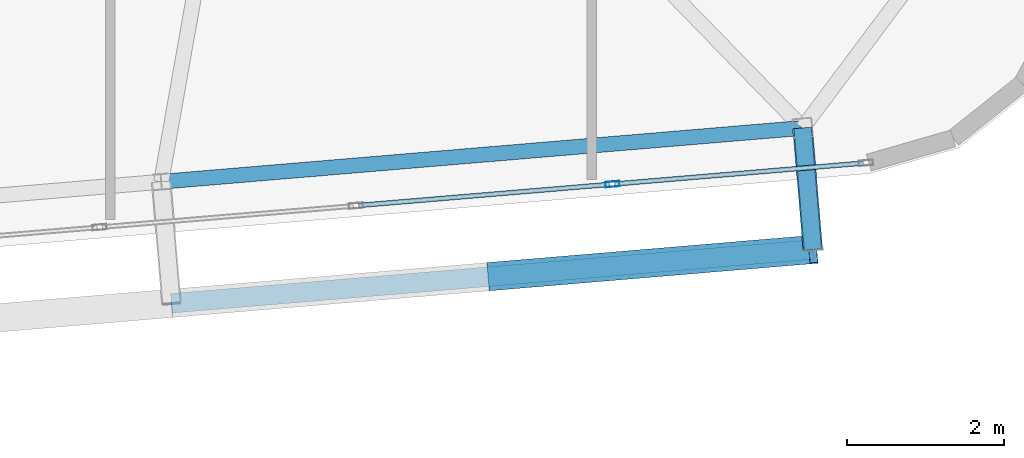
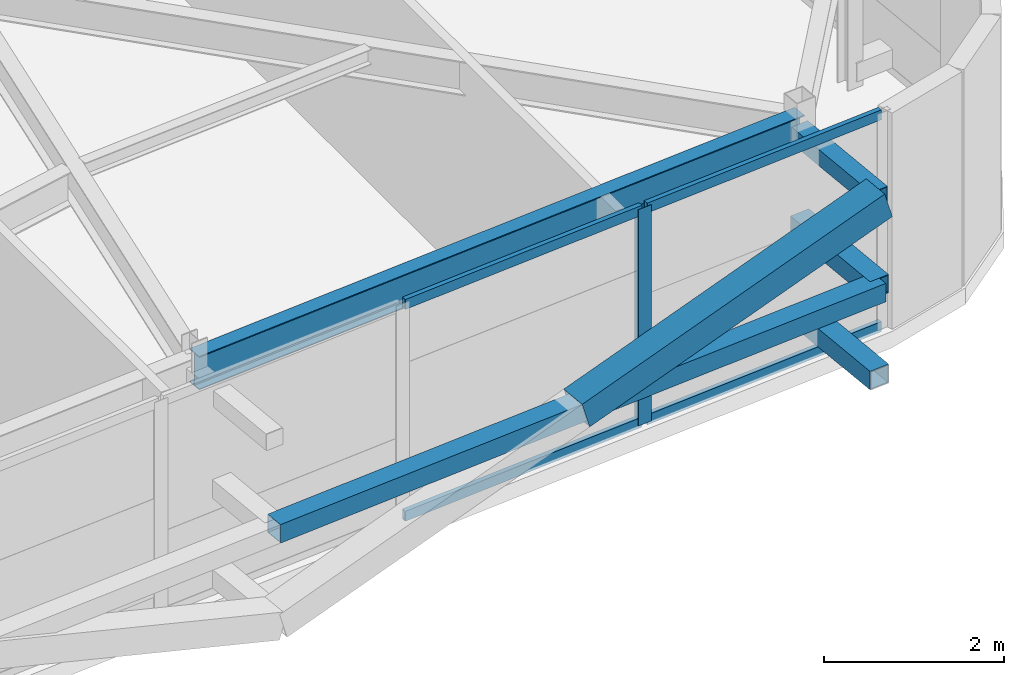
# One storey, part 20 of 46: 10 members, 1 beam, 1 element without a shape of its own.
"""IFC4 building model written with IfcOpenShell, lengths in metres."""

from ifc_helpers import new_model, si_unit, direction, frame, origin, origin_2d, place, context, subcontext, project, spatial, hollow_rectangle, i_section, extrude, source, transform, mapped, material, layer, layer_set, material_profile, profile_set, type_object, element, aggregate, save


model = new_model("IFC4")

# Units and contexts
model_context = context("Model", 3, precision=1e-05, world=origin(), true_north=direction((0.0, 1.0)))
body_context = subcontext(model_context, "Body", "Model", "MODEL_VIEW")
ifc_project = project(units=[si_unit("LENGTHUNIT", "METRE"), si_unit("AREAUNIT", "SQUARE_METRE"), si_unit("VOLUMEUNIT", "CUBIC_METRE"), si_unit("PLANEANGLEUNIT", "RADIAN"), si_unit("MASSUNIT", "GRAM", prefix="KILO")], contexts=[model_context])

# Site, building, storey
site_placement = place(None, origin())
site = spatial("IfcSite", under=ifc_project, at=site_placement, CompositionType="ELEMENT")
building_placement = place(site_placement, origin())
building = spatial("IfcBuilding", under=site, at=building_placement, Name="Taldren Reach Tower", CompositionType="ELEMENT")
storey_placement = place(building_placement, frame((0.0, 0.0, 185.14990234375)))
storey = spatial("IfcBuildingStorey", under=building, at=storey_placement, Name="L56", CompositionType="ELEMENT", Elevation=185.14990234375)

# Members
ifc_material_1 = material(Name="Steel Gr 350 (C350L0)", Category="steel")
ifc_material_profile_1 = material_profile(ifc_material_1, hollow_rectangle(XDim=0.25, YDim=0.25, WallThickness=0.010009765625, at=origin_2d()), Name="250x250x10.0SHS")
ifc_profile_set_1 = profile_set([ifc_material_profile_1], Name="Steel Gr 350 (C350L0)")
member_type_1 = type_object("IfcMemberType", Name="MB-POST250", PredefinedType="POST", material=ifc_profile_set_1)
shared_shape_1 = source(origin(), body_context, "Body", "SweptSolid", [
    extrude(hollow_rectangle(XDim=0.25, YDim=0.25, WallThickness=0.010009765625, at=origin_2d()), origin(), (0.0, 0.0, 1.0), 1.5498046875),
])
for number, where, z_axis, x_axis, name in (
    (1, (58.796142578125, 5.516357421875, 0.22021484375), (0.083801560254, -0.996482462715, 0.0), (0.996482462715, 0.083801560254, 0.0), "Exoskeleton base diaphragm tie strut B4-S6 L56"),
    (2, (58.796142578125, 5.516357421875, 1.43505859375), (0.083801560254, -0.996482462715, 0.0), (0.996482462715, 0.083801560254, 0.0), "Exoskeleton mid-tier diaphragm tie B4-S6 L56"),
):
    element("IfcMember", number, at=place(storey_placement, frame(where, z_axis=z_axis, x_axis=x_axis)), inside=storey, type_object=member_type_1, Name=name, PredefinedType="POST", context=body_context, shape_type="MappedRepresentation", body=[
        mapped(shared_shape_1, transform((0.0, 0.0, 0.0), scale=1.0)),
    ])

# Beam
ifc_material_2 = material(Name="Steel Gr 350 (350PLUS)", Category="steel")
ifc_material_profile_2 = material_profile(ifc_material_2, i_section(OverallWidth=0.18994140625, OverallDepth=0.4541015625, WebThickness=0.008544921875, FlangeThickness=0.0126953125, at=origin_2d()), Name="460UB67.1")
ifc_profile_set_2 = profile_set([ifc_material_profile_2], Name="Steel Gr 350 (350PLUS)")
beam_type = type_object("IfcBeamType", Name="SP-UB460B", PredefinedType="SPANDREL", material=ifc_profile_set_2)
shared_shape_2 = source(origin(), body_context, "Body", "SweptSolid", [
    extrude(i_section(OverallWidth=0.18994140625, OverallDepth=0.4541015625, WebThickness=0.008544921875, FlangeThickness=0.0126953125, at=origin_2d()), origin(), (0.0, 0.0, 1.0), 8.179931640625),
])
beam_placement = place(storey_placement, frame((50.644775390625, 4.83203125, 2.703125), z_axis=(0.996494523218, 0.083658025296, 0.0), x_axis=(-0.083658025296, 0.996494523218, 0.0)))
element("IfcBeam", 3, at=beam_placement, inside=storey, type_object=beam_type, Name="Perimeter spandrel B4 S5-S6 L56", PredefinedType="SPANDREL", context=body_context, shape_type="MappedRepresentation", body=[
    mapped(shared_shape_2, transform((0.0, 0.0, 0.0), scale=1.0)),
])

# Members
ifc_material_3 = material(Name="Steel Gr 450 (C450L0)", Category="steel")
ifc_material_profile_3 = material_profile(ifc_material_3, hollow_rectangle(XDim=0.219970703125, YDim=0.219970703125, WallThickness=0.00830078125, at=origin_2d()), Name="220x220x8.2SHS")
ifc_profile_set_3 = profile_set([ifc_material_profile_3], Name="Steel Gr 450 (C450L0)")
member_type_2 = type_object("IfcMemberType", Name="MB-TIE219", PredefinedType="STRUT", material=ifc_profile_set_3)
shared_shape_3 = source(origin(), body_context, "Body", "SweptSolid", [
    extrude(hollow_rectangle(XDim=0.219970703125, YDim=0.219970703125, WallThickness=0.00830078125, at=origin_2d()), origin(), (0.0, 0.0, 1.0), 1.5498046875),
])
member_1_placement = place(storey_placement, frame((58.796142578125, 5.516357421875, 2.650146484375), z_axis=(0.083801560254, -0.996482462715, 0.0), x_axis=(0.996482462715, 0.083801560254, 0.0)))
element("IfcMember", 4, at=member_1_placement, inside=storey, type_object=member_type_2, Name="Exoskeleton diaphragm tie strut B4-S6 L56", PredefinedType="STRUT", context=body_context, shape_type="MappedRepresentation", body=[
    mapped(shared_shape_3, transform((0.0, 0.0, 0.0), scale=1.0)),
])
shared_shape_4 = source(origin(), body_context, "Body", "SweptSolid", [
    extrude(hollow_rectangle(XDim=0.25, YDim=0.25, WallThickness=0.010009765625, at=origin_2d()), origin(), (0.0, 0.0, 1.0), 8.18017578125),
])
member_2_placement = place(storey_placement, frame((50.774658203125, 3.287353515625, 1.43505859375), z_axis=(0.996492034688, 0.083687662192, 0.0), x_axis=(-0.083687662192, 0.996492034688, 0.0)))
element("IfcMember", 5, at=member_2_placement, inside=storey, type_object=member_type_1, Name="Exoskeleton mid-height ring chord B4-S5 L56", PredefinedType="POST", context=body_context, shape_type="MappedRepresentation", body=[
    mapped(shared_shape_4, transform((0.0, 0.0, 0.0), scale=1.0)),
])
ifc_material_profile_4 = material_profile(ifc_material_3, hollow_rectangle(XDim=0.360107421875, YDim=0.360107421875, WallThickness=0.0126953125, at=origin_2d()), Name="360x360x12.7SHS")
ifc_profile_set_4 = profile_set([ifc_material_profile_4], Name="Steel Gr 450 (C450L0)")
member_type_3 = type_object("IfcMemberType", Name="MB-EXO356", PredefinedType="BRACE", material=ifc_profile_set_4)
shared_shape_5 = source(origin(), body_context, "Body", "SweptSolid", [
    extrude(hollow_rectangle(XDim=0.360107421875, YDim=0.360107421875, WallThickness=0.0126953125, at=origin_2d()), origin(), (0.0, 0.0, 1.0), 4.2666015625),
])
member_3_placement = place(storey_placement, frame((54.850341796875, 3.629638671875, 1.43505859375), z_axis=(0.955229159097, 0.080222312271, 0.284783486572), x_axis=(-0.083687662192, 0.996492034688, 0.0)))
element("IfcMember", 6, at=member_3_placement, inside=storey, type_object=member_type_3, Name="Exoskeleton Diagrid Brace B4-S5 L56", PredefinedType="BRACE", context=body_context, shape_type="MappedRepresentation", body=[
    mapped(shared_shape_5, transform((0.0, 0.0, 0.0), scale=1.0)),
])

# Curtain wall, members
ifc_material_4 = material(Name="Aluminium and Low-E Glass Unitised System", Category="aluminium")
ifc_layer = layer(ifc_material_4, 0.159912109375)
ifc_layer_set = layer_set([ifc_layer], Name="Aluminium and Low-E Glass Unitised System")
curtain_wall_type = type_object("IfcCurtainWallType", Name="CW-SYS-5", PredefinedType="NOTDEFINED", material=ifc_layer_set)
curtain_wall_placement = place(storey_placement, origin())
curtain_wall = element("IfcCurtainWall", 7, at=curtain_wall_placement, inside=storey, type_object=curtain_wall_type, Name="Unitised curtain wall CW-L56-S", PredefinedType="NOTDEFINED")
ifc_material_5 = material(Name="Anodised Aluminium 6063-T6", Category="aluminium")
ifc_material_profile_5 = material_profile(ifc_material_5, hollow_rectangle(XDim=0.070068359375, YDim=0.179931640625, WallThickness=0.00390625, at=origin_2d()), Name="ALU-180x70x4RHS")
ifc_profile_set_5 = profile_set([ifc_material_profile_5], Name="Anodised Aluminium 6063-T6")
member_type_4 = type_object("IfcMemberType", Name="CW-MUL-180", PredefinedType="MULLION", material=ifc_profile_set_5)
shared_shape_6 = source(origin(), body_context, "Body", "SweptSolid", [
    extrude(hollow_rectangle(XDim=0.070068359375, YDim=0.179931640625, WallThickness=0.00390625, at=origin_2d()), origin(), (0.0, 0.0, 1.0), 2.93017578125),
])
member_4_placement = place(storey_placement, frame((56.37841796875, 4.801513671875, 0.0), z_axis=(0.0, 0.0, 1.0), x_axis=(-0.083677894865, 0.996492854922, 0.0)))
member_4 = element("IfcMember", 8, at=member_4_placement, type_object=member_type_4, Name="CW-5 mullion 13", PredefinedType="MULLION", context=body_context, shape_type="MappedRepresentation", body=[
    mapped(shared_shape_6, transform((0.0, 0.0, 0.0), scale=1.0)),
])
ifc_material_profile_6 = material_profile(ifc_material_5, hollow_rectangle(XDim=0.06005859375, YDim=0.135009765625, WallThickness=0.00341796875, at=origin_2d()), Name="ALU-135x60x3.5RHS")
ifc_profile_set_6 = profile_set([ifc_material_profile_6], Name="Anodised Aluminium 6063-T6")
member_type_5 = type_object("IfcMemberType", Name="CW-TRN-150", PredefinedType="USERDEFINED", material=ifc_profile_set_6)
shared_shape_7 = source(origin(), body_context, "Body", "SweptSolid", [
    extrude(hollow_rectangle(XDim=0.06005859375, YDim=0.135009765625, WallThickness=0.00341796875, at=origin_2d()), origin(), (0.0, 0.0, 1.0), 3.19921875),
])
member_5_placement = place(storey_placement, frame((53.155517578125, 4.531005859375, 0.030029296875), z_axis=(0.996496109493, 0.083639128198, 0.0), x_axis=(-0.083639128198, 0.996496109493, 0.0)))
member_5 = element("IfcMember", 9, at=member_5_placement, type_object=member_type_5, Name="CW-5 transom 12.1", ObjectType="TRANSOM", PredefinedType="USERDEFINED", context=body_context, shape_type="MappedRepresentation", body=[
    mapped(shared_shape_7, transform((0.0, 0.0, 0.0), scale=1.0)),
])
member_6_placement = place(storey_placement, frame((53.155517578125, 4.531005859375, 2.900146484375), z_axis=(0.996496109493, 0.083639128198, 0.0), x_axis=(-0.083639128198, 0.996496109493, 0.0)))
member_6 = element("IfcMember", 10, at=member_6_placement, type_object=member_type_5, Name="CW-5 transom 12.2", ObjectType="TRANSOM", PredefinedType="USERDEFINED", context=body_context, shape_type="MappedRepresentation", body=[
    mapped(shared_shape_7, transform((0.0, 0.0, 0.0), scale=1.0)),
])
shared_shape_8 = source(origin(), body_context, "Body", "SweptSolid", [
    extrude(hollow_rectangle(XDim=0.06005859375, YDim=0.135009765625, WallThickness=0.00341796875, at=origin_2d()), origin(), (0.0, 0.0, 1.0), 3.164306640625),
])
member_7_placement = place(storey_placement, frame((56.4130859375, 4.804443359375, 0.030029296875), z_axis=(0.996490200681, 0.083709497347, 0.0), x_axis=(-0.083709497347, 0.996490200681, 0.0)))
member_7 = element("IfcMember", 11, at=member_7_placement, type_object=member_type_5, Name="CW-5 transom 13.1", ObjectType="TRANSOM", PredefinedType="USERDEFINED", context=body_context, shape_type="MappedRepresentation", body=[
    mapped(shared_shape_8, transform((0.0, 0.0, 0.0), scale=1.0)),
])
member_8_placement = place(storey_placement, frame((56.4130859375, 4.804443359375, 2.900146484375), z_axis=(0.996490200681, 0.083709497347, 0.0), x_axis=(-0.083709497347, 0.996490200681, 0.0)))
member_8 = element("IfcMember", 12, at=member_8_placement, type_object=member_type_5, Name="CW-5 transom 13.2", ObjectType="TRANSOM", PredefinedType="USERDEFINED", context=body_context, shape_type="MappedRepresentation", body=[
    mapped(shared_shape_8, transform((0.0, 0.0, 0.0), scale=1.0)),
])
aggregate(curtain_wall, [member_4, member_5, member_6, member_7, member_8])

save(model, "model.ifc")
